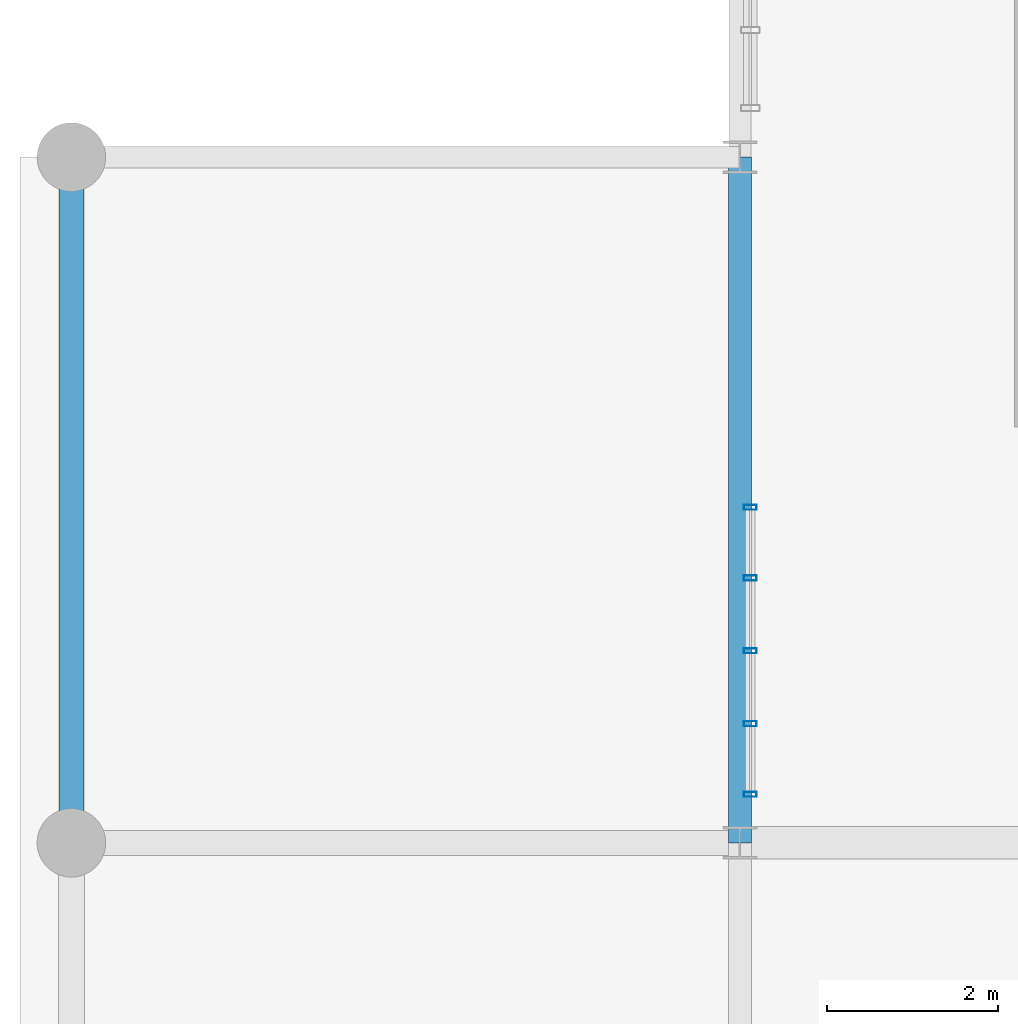
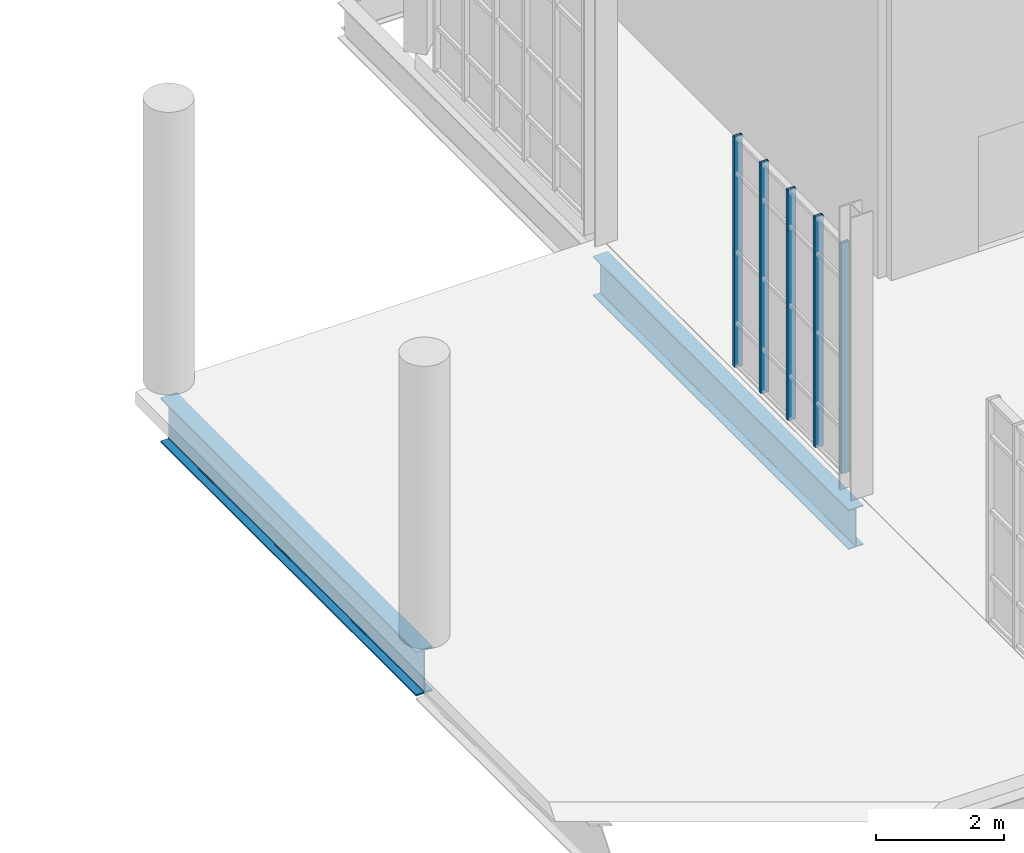
# One storey, part 17 of 189: 5 members, 2 beams, 1 element without a shape of its own.
"""IFC4 building model written with IfcOpenShell, lengths in metres."""

from ifc_helpers import new_model, si_unit, direction, frame, origin, origin_2d, place, context, subcontext, project, spatial, hollow_rectangle, i_section, extrude, material, layer, layer_set, material_profile, profile_set, type_object, element, aggregate, save


model = new_model("IFC4")

# Units and contexts
model_context = context("Model", 3, precision=1e-05, world=origin(), true_north=direction((0.0, 1.0)))
body_context = subcontext(model_context, "Body", "Model", "MODEL_VIEW")
ifc_project = project(units=[si_unit("LENGTHUNIT", "METRE"), si_unit("AREAUNIT", "SQUARE_METRE"), si_unit("VOLUMEUNIT", "CUBIC_METRE"), si_unit("PLANEANGLEUNIT", "RADIAN"), si_unit("MASSUNIT", "GRAM", prefix="KILO"), si_unit("THERMODYNAMICTEMPERATUREUNIT", "KELVIN"), si_unit("POWERUNIT", "WATT")], contexts=[model_context])

# Site, building, storey
site_placement = place(None, origin())
site = spatial("IfcSite", under=ifc_project, at=site_placement, CompositionType="ELEMENT")
building_placement = place(site_placement, origin())
building = spatial("IfcBuilding", under=site, at=building_placement, Name="Zelmaris Science Centre", CompositionType="ELEMENT")
storey_placement = place(building_placement, origin())
storey = spatial("IfcBuildingStorey", under=building, at=storey_placement, Name="L00", CompositionType="ELEMENT", Elevation=0.0)

# Curtain wall, members
ifc_material_1 = material(Name="Anodised architectural aluminium 6063-T6", Category="aluminium")
ifc_layer = layer(ifc_material_1, 0.219970703125, Name="Anodised architectural aluminium 6063-T6")
ifc_layer_set = layer_set([ifc_layer], Name="Anodised architectural aluminium 6063-T6")
curtain_wall_type = type_object("IfcCurtainWallType", Name="Curtain Wall CW-04", PredefinedType="USERDEFINED", material=ifc_layer_set)
curtain_wall_placement = place(storey_placement, origin())
curtain_wall = element("IfcCurtainWall", 1, at=curtain_wall_placement, inside=storey, type_object=curtain_wall_type, Name="L00 Unitised curtain wall 4", ObjectType="GLAZED CURTAIN WALL", PredefinedType="USERDEFINED")
ifc_material_profile_1 = material_profile(ifc_material_1, hollow_rectangle(XDim=0.06005859375, YDim=0.14990234375, WallThickness=0.00341796875, at=origin_2d()), Name="ALU-MUL-60X150")
ifc_profile_set_1 = profile_set([ifc_material_profile_1], Name="Anodised architectural aluminium 6063-T6")
member_type = type_object("IfcMemberType", Name="ALU-MUL-60X150", PredefinedType="MULLION", material=ifc_profile_set_1)
member_1_placement = place(storey_placement, frame((9.1201171875, 24.56591796875, -0.014892578125), z_axis=(0.0, 0.0, 1.0), x_axis=(0.0, 1.0, 0.0)))
member_1 = element("IfcMember", 2, at=member_1_placement, type_object=member_type, Name="CW-04 mullion 1", PredefinedType="MULLION", context=body_context, shape_type="SweptSolid", body=[
    extrude(hollow_rectangle(XDim=0.06005859375, YDim=0.14990234375, WallThickness=0.00341796875, at=origin_2d()), origin(), (0.0, 0.0, 1.0), 4.406982421875),
])
member_2_placement = place(storey_placement, frame((9.1201171875, 25.389892578125, -0.014892578125), z_axis=(0.0, 0.0, 1.0), x_axis=(0.0, 1.0, 0.0)))
member_2 = element("IfcMember", 3, at=member_2_placement, type_object=member_type, Name="CW-04 mullion 2", PredefinedType="MULLION", context=body_context, shape_type="SweptSolid", body=[
    extrude(hollow_rectangle(XDim=0.06005859375, YDim=0.14990234375, WallThickness=0.00341796875, at=origin_2d()), origin(), (0.0, 0.0, 1.0), 4.406982421875),
])
member_3_placement = place(storey_placement, frame((9.1201171875, 26.239990234375, -0.014892578125), z_axis=(0.0, 0.0, 1.0), x_axis=(0.0, 1.0, 0.0)))
member_3 = element("IfcMember", 4, at=member_3_placement, type_object=member_type, Name="CW-04 mullion 3", PredefinedType="MULLION", context=body_context, shape_type="SweptSolid", body=[
    extrude(hollow_rectangle(XDim=0.06005859375, YDim=0.14990234375, WallThickness=0.00341796875, at=origin_2d()), origin(), (0.0, 0.0, 1.0), 4.406982421875),
])
member_4_placement = place(storey_placement, frame((9.1201171875, 27.090087890625, -0.014892578125), z_axis=(0.0, 0.0, 1.0), x_axis=(0.0, 1.0, 0.0)))
member_4 = element("IfcMember", 5, at=member_4_placement, type_object=member_type, Name="CW-04 mullion 4", PredefinedType="MULLION", context=body_context, shape_type="SweptSolid", body=[
    extrude(hollow_rectangle(XDim=0.06005859375, YDim=0.14990234375, WallThickness=0.00341796875, at=origin_2d()), origin(), (0.0, 0.0, 1.0), 4.406982421875),
])
member_5_placement = place(storey_placement, frame((9.1201171875, 27.9140625, -0.014892578125), z_axis=(0.0, 0.0, 1.0), x_axis=(0.0, 1.0, 0.0)))
member_5 = element("IfcMember", 6, at=member_5_placement, type_object=member_type, Name="CW-04 mullion 5", PredefinedType="MULLION", context=body_context, shape_type="SweptSolid", body=[
    extrude(hollow_rectangle(XDim=0.06005859375, YDim=0.14990234375, WallThickness=0.00341796875, at=origin_2d()), origin(), (0.0, 0.0, 1.0), 4.406982421875),
])
aggregate(curtain_wall, [member_1, member_2, member_3, member_4, member_5])

# Beams
ifc_material_2 = material(Name="Steel ASTM A992 Grade 50", Category="steel")
ifc_material_profile_2 = material_profile(ifc_material_2, i_section(OverallWidth=0.294921875, OverallDepth=0.85107421875, WebThickness=0.01611328125, FlangeThickness=0.02685546875, FilletRadius=0.02001953125, at=origin_2d()), Name="W33X152")
ifc_profile_set_2 = profile_set([ifc_material_profile_2], Name="Steel ASTM A992 Grade 50")
beam_type_1 = type_object("IfcBeamType", Name="Beam G-06 W33X152", PredefinedType="BEAM", material=ifc_profile_set_2)
beam_1_placement = place(storey_placement, frame((1.199951171875, 24.0, -0.70556640625), z_axis=(0.0, 1.0, 0.0), x_axis=(-1.0, 0.0, 0.0)))
element("IfcBeam", 7, at=beam_1_placement, inside=storey, type_object=beam_type_1, Name="L00 North-south girder 2", PredefinedType="BEAM", context=body_context, shape_type="SweptSolid", body=[
    extrude(i_section(OverallWidth=0.294921875, OverallDepth=0.85107421875, WebThickness=0.01611328125, FlangeThickness=0.02685546875, FilletRadius=0.02001953125, at=origin_2d()), origin(), (0.0, 0.0, 1.0), 8.0),
])
ifc_material_profile_3 = material_profile(ifc_material_2, i_section(OverallWidth=0.26708984375, OverallDepth=0.757080078125, WebThickness=0.013916015625, FlangeThickness=0.019287109375, FilletRadius=0.01904296875, at=origin_2d()), Name="W30X108")
ifc_profile_set_3 = profile_set([ifc_material_profile_3], Name="Steel ASTM A992 Grade 50")
beam_type_2 = type_object("IfcBeamType", Name="Beam G-10 W30X108", PredefinedType="BEAM", material=ifc_profile_set_3)
beam_2_placement = place(storey_placement, frame((9.0, 24.0, -0.6884765625), z_axis=(0.0, 1.0, 0.0), x_axis=(-1.0, 0.0, 0.0)))
element("IfcBeam", 8, at=beam_2_placement, inside=storey, type_object=beam_type_2, Name="L00 North-south girder 5", PredefinedType="BEAM", context=body_context, shape_type="SweptSolid", body=[
    extrude(i_section(OverallWidth=0.26708984375, OverallDepth=0.757080078125, WebThickness=0.013916015625, FlangeThickness=0.019287109375, FilletRadius=0.01904296875, at=origin_2d()), origin(), (0.0, 0.0, 1.0), 8.0),
])

save(model, "model.ifc")
